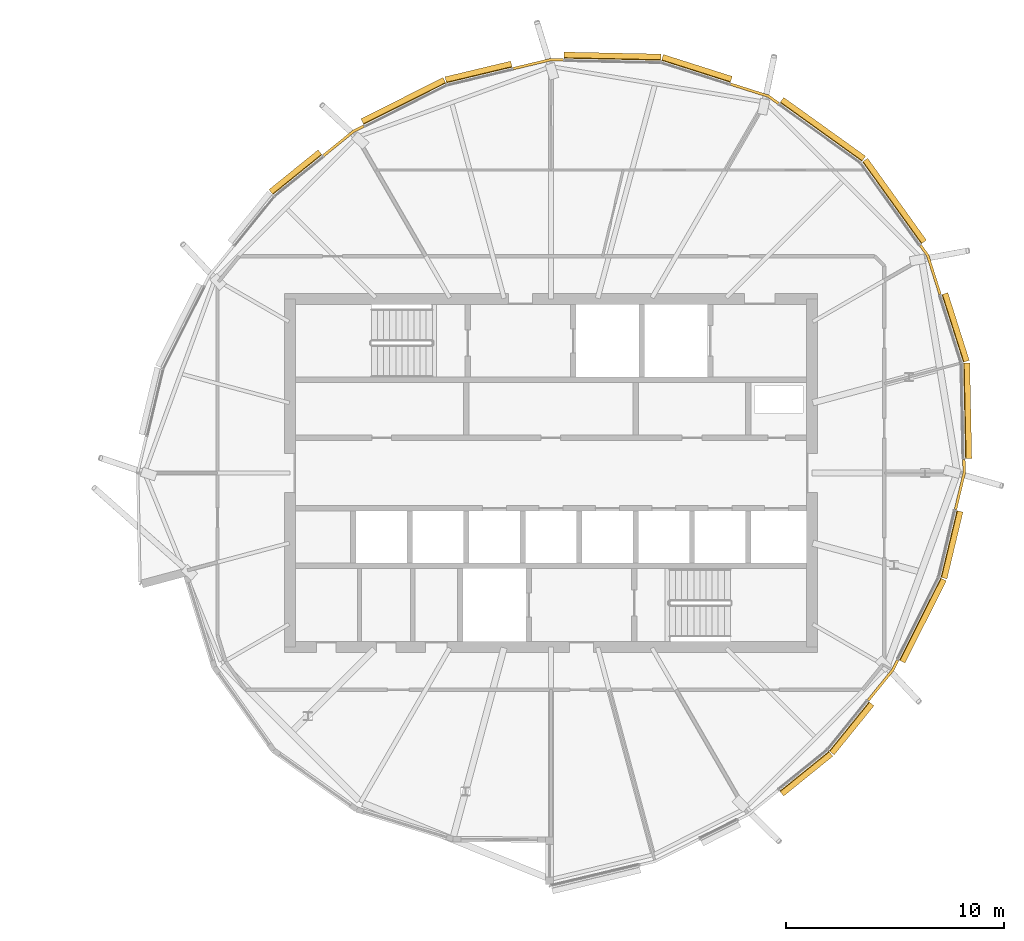
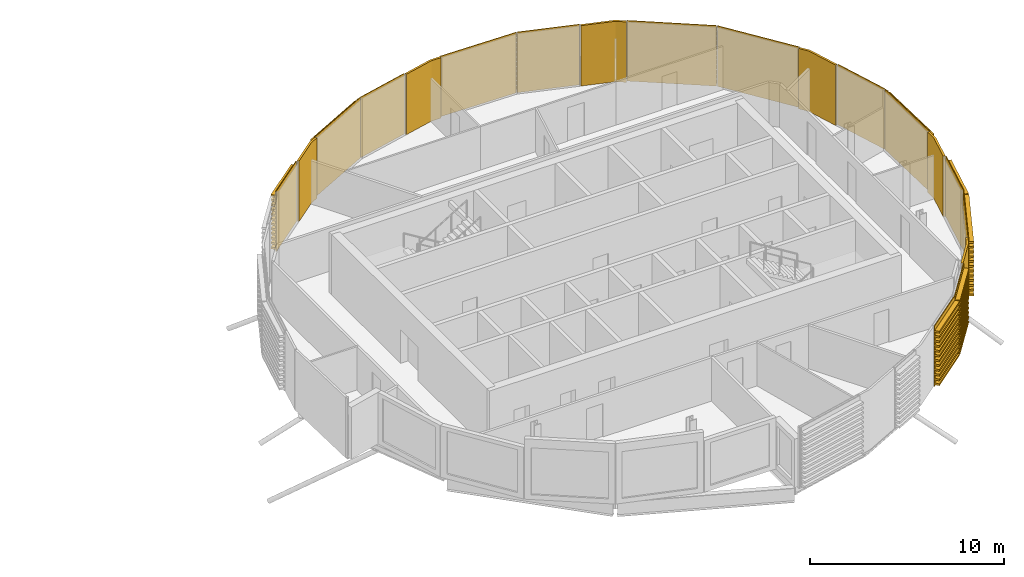
# One storey, part 36 of 36: 19 coverings.
"""IFC4 building model written with IfcOpenShell, lengths in metres."""

from ifc_helpers import new_model, si_unit, direction, frame, origin, place, context, subcontext, project, spatial, polyline, outline, extrude, material, layer, layer_set, material_profile, profile_set, type_object, element, save


model = new_model("IFC4")

# Units and contexts
model_context = context("Model", 3, precision=1e-05, world=origin(), true_north=direction((0.0, 1.0)))
body_context = subcontext(model_context, "Body", "Model", "MODEL_VIEW")
ifc_project = project(units=[si_unit("LENGTHUNIT", "METRE"), si_unit("AREAUNIT", "SQUARE_METRE"), si_unit("VOLUMEUNIT", "CUBIC_METRE"), si_unit("PLANEANGLEUNIT", "RADIAN"), si_unit("MASSUNIT", "GRAM", prefix="KILO")], contexts=[model_context])

# Site, building, storey
site_placement = place(None, origin())
site = spatial("IfcSite", under=ifc_project, at=site_placement, CompositionType="ELEMENT")
building_placement = place(site_placement, origin())
building = spatial("IfcBuilding", under=site, at=building_placement, Name="Rimbun Link Towers", CompositionType="ELEMENT")
storey_placement = place(building_placement, frame((0.0, 0.0, 248.5)))
storey = spatial("IfcBuildingStorey", under=building, at=storey_placement, Name="L61", CompositionType="ELEMENT", Elevation=248.5)

# Coverings
ifc_material_1 = material(Name="Terracotta", Category="masonry")
ifc_layer = layer(ifc_material_1, 0.1201171875)
ifc_layer_set = layer_set([ifc_layer], Name="LINK PIER terracotta cladding 120")
covering_type_1 = type_object("IfcCoveringType", Name="LINK PIER terracotta cladding 120", PredefinedType="CLADDING", material=ifc_layer_set)
covering_1_placement = place(storey_placement, origin())
element("IfcCovering", 1, at=covering_1_placement, inside=storey, type_object=covering_type_1, Name="LINK PIER cladding", PredefinedType="CLADDING", context=body_context, shape_type="SweptSolid", body=[
    extrude(outline(polyline([(39.98486328125, 17.81884765625), (41.71923828125, 17.267333984375), (42.182373046875, 16.93505859375), (42.25244140625, 17.032470703125), (41.773681640625, 17.3759765625), (40.021240234375, 17.933349609375), (39.98486328125, 17.81884765625)])), origin(), (0.0, 0.0, 1.0), 3.800048828125),
])
covering_2_placement = place(storey_placement, origin())
element("IfcCovering", 2, at=covering_2_placement, inside=storey, type_object=covering_type_1, Name="LINK PIER cladding", PredefinedType="CLADDING", context=body_context, shape_type="SweptSolid", body=[
    extrude(outline(polyline([(30.028564453125, 18.527587890625), (31.75, 18.939208984375), (32.31982421875, 18.92724609375), (32.322509765625, 19.047119140625), (31.737060546875, 19.0595703125), (30.000732421875, 18.644287109375), (30.028564453125, 18.527587890625)])), origin(), (0.0, 0.0, 1.0), 3.800048828125),
])
covering_3_placement = place(storey_placement, origin())
element("IfcCovering", 3, at=covering_3_placement, inside=storey, type_object=covering_type_1, Name="LINK PIER cladding", PredefinedType="CLADDING", context=body_context, shape_type="SweptSolid", body=[
    extrude(outline(polyline([(21.3359375, 14.541015625), (22.711669921875, 15.65478515625), (23.176513671875, 15.887939453125), (23.12255859375, 15.995361328125), (22.646240234375, 15.756103515625), (21.260498046875, 14.63427734375), (21.3359375, 14.541015625)])), origin(), (0.0, 0.0, 1.0), 3.800048828125),
])
covering_4_placement = place(storey_placement, origin())
element("IfcCovering", 4, at=covering_4_placement, inside=storey, type_object=covering_type_1, Name="LINK PIER cladding", PredefinedType="CLADDING", context=body_context, shape_type="SweptSolid", body=[
    extrude(outline(polyline([(47.637939453125, -8.573486328125), (47.40478515625, -9.038330078125), (46.291015625, -10.4140625), (46.38427734375, -10.489501953125), (47.506103515625, -9.103759765625), (47.745361328125, -8.62744140625), (47.637939453125, -8.573486328125)])), origin(), (0.0, 0.0, 1.0), 3.800048828125),
])
covering_5_placement = place(storey_placement, origin())
element("IfcCovering", 5, at=covering_5_placement, inside=storey, type_object=covering_type_1, Name="LINK PIER cladding", PredefinedType="CLADDING", context=body_context, shape_type="SweptSolid", body=[
    extrude(outline(polyline([(50.676025390625, 0.619873046875), (50.689208984375, 0.0), (50.2890625, -1.6728515625), (50.40576171875, -1.70068359375), (50.8095703125, -0.012939453125), (50.796142578125, 0.622314453125), (50.676025390625, 0.619873046875)])), origin(), (0.0, 0.0, 1.0), 3.800048828125),
])
covering_6_placement = place(storey_placement, origin())
element("IfcCovering", 6, at=covering_6_placement, inside=storey, type_object=covering_type_1, Name="LINK PIER cladding", PredefinedType="CLADDING", context=body_context, shape_type="SweptSolid", body=[
    extrude(outline(polyline([(48.68505859375, 10.432373046875), (49.017333984375, 9.96923828125), (49.583984375, 8.187255859375), (49.698486328125, 8.2236328125), (49.1259765625, 10.023681640625), (48.782470703125, 10.50244140625), (48.68505859375, 10.432373046875)])), origin(), (0.0, 0.0, 1.0), 3.800048828125),
])
ifc_material_2 = material(Name="Terracotta", Category="masonry")
ifc_material_profile = material_profile(ifc_material_2, outline(polyline([(0.123046875, 0.0), (0.1630859375, 0.0), (0.1630859375, 0.10009765625), (0.423095703125, 0.10009765625), (0.423095703125, 0.219970703125), (0.1630859375, 0.219970703125), (0.1630859375, 0.39990234375), (0.423095703125, 0.39990234375), (0.423095703125, 0.52001953125), (0.1630859375, 0.52001953125), (0.1630859375, 0.699951171875), (0.423095703125, 0.699951171875), (0.423095703125, 0.820068359375), (0.1630859375, 0.820068359375), (0.1630859375, 1.0), (0.423095703125, 1.0), (0.423095703125, 1.1201171875), (0.1630859375, 1.1201171875), (0.1630859375, 1.300048828125), (0.423095703125, 1.300048828125), (0.423095703125, 1.419921875), (0.1630859375, 1.419921875), (0.1630859375, 1.60009765625), (0.423095703125, 1.60009765625), (0.423095703125, 1.719970703125), (0.1630859375, 1.719970703125), (0.1630859375, 1.89990234375), (0.423095703125, 1.89990234375), (0.423095703125, 2.02001953125), (0.1630859375, 2.02001953125), (0.1630859375, 2.199951171875), (0.423095703125, 2.199951171875), (0.423095703125, 2.320068359375), (0.1630859375, 2.320068359375), (0.1630859375, 2.5), (0.423095703125, 2.5), (0.423095703125, 2.6201171875), (0.1630859375, 2.6201171875), (0.1630859375, 2.800048828125), (0.423095703125, 2.800048828125), (0.423095703125, 2.919921875), (0.1630859375, 2.919921875), (0.1630859375, 3.10009765625), (0.423095703125, 3.10009765625), (0.423095703125, 3.219970703125), (0.1630859375, 3.219970703125), (0.1630859375, 3.39990234375), (0.423095703125, 3.39990234375), (0.423095703125, 3.52001953125), (0.1630859375, 3.52001953125), (0.1630859375, 3.800048828125), (0.123046875, 3.800048828125), (0.123046875, 0.0)])), Name="BAGUETTE 120X300")
ifc_profile_set = profile_set([ifc_material_profile], Name="Terracotta")
covering_type_2 = type_object("IfcCoveringType", Name="TERRACOTTA BAGUETTE 120X300 H3800", PredefinedType="CLADDING", material=ifc_profile_set)
covering_7_placement = place(storey_placement, frame((42.206787109375, 16.91748046875, 0.0), z_axis=(0.812459513707, -0.583017614302, 0.0), x_axis=(0.583017614302, 0.812459513707, 0.0)))
element("IfcCovering", 7, at=covering_7_placement, inside=storey, type_object=covering_type_2, Name="TERRACOTTA BAGUETTE", PredefinedType="CLADDING", context=body_context, shape_type="SweptSolid", body=[
    extrude(outline(polyline([(0.123046875, 0.0), (0.1630859375, 0.0), (0.1630859375, 0.10009765625), (0.423095703125, 0.10009765625), (0.423095703125, 0.219970703125), (0.1630859375, 0.219970703125), (0.1630859375, 0.39990234375), (0.423095703125, 0.39990234375), (0.423095703125, 0.52001953125), (0.1630859375, 0.52001953125), (0.1630859375, 0.699951171875), (0.423095703125, 0.699951171875), (0.423095703125, 0.820068359375), (0.1630859375, 0.820068359375), (0.1630859375, 1.0), (0.423095703125, 1.0), (0.423095703125, 1.1201171875), (0.1630859375, 1.1201171875), (0.1630859375, 1.300048828125), (0.423095703125, 1.300048828125), (0.423095703125, 1.419921875), (0.1630859375, 1.419921875), (0.1630859375, 1.60009765625), (0.423095703125, 1.60009765625), (0.423095703125, 1.719970703125), (0.1630859375, 1.719970703125), (0.1630859375, 1.89990234375), (0.423095703125, 1.89990234375), (0.423095703125, 2.02001953125), (0.1630859375, 2.02001953125), (0.1630859375, 2.199951171875), (0.423095703125, 2.199951171875), (0.423095703125, 2.320068359375), (0.1630859375, 2.320068359375), (0.1630859375, 2.5), (0.423095703125, 2.5), (0.423095703125, 2.6201171875), (0.1630859375, 2.6201171875), (0.1630859375, 2.800048828125), (0.423095703125, 2.800048828125), (0.423095703125, 2.919921875), (0.1630859375, 2.919921875), (0.1630859375, 3.10009765625), (0.423095703125, 3.10009765625), (0.423095703125, 3.219970703125), (0.1630859375, 3.219970703125), (0.1630859375, 3.39990234375), (0.423095703125, 3.39990234375), (0.423095703125, 3.52001953125), (0.1630859375, 3.52001953125), (0.1630859375, 3.800048828125), (0.123046875, 3.800048828125), (0.123046875, 0.0)])), origin(), (0.0, 0.0, 1.0), 4.629638671875),
])
covering_8_placement = place(storey_placement, frame((36.79638671875, 18.8330078125, 0.0), z_axis=(0.952951884301, -0.303121603003, 0.0), x_axis=(0.303121603003, 0.952951884301, 0.0)))
element("IfcCovering", 8, at=covering_8_placement, inside=storey, type_object=covering_type_2, Name="TERRACOTTA BAGUETTE", PredefinedType="CLADDING", context=body_context, shape_type="SweptSolid", body=[
    extrude(outline(polyline([(0.123046875, 0.0), (0.1630859375, 0.0), (0.1630859375, 0.10009765625), (0.423095703125, 0.10009765625), (0.423095703125, 0.219970703125), (0.1630859375, 0.219970703125), (0.1630859375, 0.39990234375), (0.423095703125, 0.39990234375), (0.423095703125, 0.52001953125), (0.1630859375, 0.52001953125), (0.1630859375, 0.699951171875), (0.423095703125, 0.699951171875), (0.423095703125, 0.820068359375), (0.1630859375, 0.820068359375), (0.1630859375, 1.0), (0.423095703125, 1.0), (0.423095703125, 1.1201171875), (0.1630859375, 1.1201171875), (0.1630859375, 1.300048828125), (0.423095703125, 1.300048828125), (0.423095703125, 1.419921875), (0.1630859375, 1.419921875), (0.1630859375, 1.60009765625), (0.423095703125, 1.60009765625), (0.423095703125, 1.719970703125), (0.1630859375, 1.719970703125), (0.1630859375, 1.89990234375), (0.423095703125, 1.89990234375), (0.423095703125, 2.02001953125), (0.1630859375, 2.02001953125), (0.1630859375, 2.199951171875), (0.423095703125, 2.199951171875), (0.423095703125, 2.320068359375), (0.1630859375, 2.320068359375), (0.1630859375, 2.5), (0.423095703125, 2.5), (0.423095703125, 2.6201171875), (0.1630859375, 2.6201171875), (0.1630859375, 2.800048828125), (0.423095703125, 2.800048828125), (0.423095703125, 2.919921875), (0.1630859375, 2.919921875), (0.1630859375, 3.10009765625), (0.423095703125, 3.10009765625), (0.423095703125, 3.219970703125), (0.1630859375, 3.219970703125), (0.1630859375, 3.39990234375), (0.423095703125, 3.39990234375), (0.423095703125, 3.52001953125), (0.1630859375, 3.52001953125), (0.1630859375, 3.800048828125), (0.123046875, 3.800048828125), (0.123046875, 0.0)])), origin(), (0.0, 0.0, 1.0), 3.31591796875),
])
covering_9_placement = place(storey_placement, frame((32.349853515625, 18.926513671875, 0.0), z_axis=(0.999778965245, -0.02102428725, 0.0), x_axis=(0.02102428725, 0.999778965245, 0.0)))
element("IfcCovering", 9, at=covering_9_placement, inside=storey, type_object=covering_type_2, Name="TERRACOTTA BAGUETTE", PredefinedType="CLADDING", context=body_context, shape_type="SweptSolid", body=[
    extrude(outline(polyline([(0.123046875, 0.0), (0.1630859375, 0.0), (0.1630859375, 0.10009765625), (0.423095703125, 0.10009765625), (0.423095703125, 0.219970703125), (0.1630859375, 0.219970703125), (0.1630859375, 0.39990234375), (0.423095703125, 0.39990234375), (0.423095703125, 0.52001953125), (0.1630859375, 0.52001953125), (0.1630859375, 0.699951171875), (0.423095703125, 0.699951171875), (0.423095703125, 0.820068359375), (0.1630859375, 0.820068359375), (0.1630859375, 1.0), (0.423095703125, 1.0), (0.423095703125, 1.1201171875), (0.1630859375, 1.1201171875), (0.1630859375, 1.300048828125), (0.423095703125, 1.300048828125), (0.423095703125, 1.419921875), (0.1630859375, 1.419921875), (0.1630859375, 1.60009765625), (0.423095703125, 1.60009765625), (0.423095703125, 1.719970703125), (0.1630859375, 1.719970703125), (0.1630859375, 1.89990234375), (0.423095703125, 1.89990234375), (0.423095703125, 2.02001953125), (0.1630859375, 2.02001953125), (0.1630859375, 2.199951171875), (0.423095703125, 2.199951171875), (0.423095703125, 2.320068359375), (0.1630859375, 2.320068359375), (0.1630859375, 2.5), (0.423095703125, 2.5), (0.423095703125, 2.6201171875), (0.1630859375, 2.6201171875), (0.1630859375, 2.800048828125), (0.423095703125, 2.800048828125), (0.423095703125, 2.919921875), (0.1630859375, 2.919921875), (0.1630859375, 3.10009765625), (0.423095703125, 3.10009765625), (0.423095703125, 3.219970703125), (0.1630859375, 3.219970703125), (0.1630859375, 3.39990234375), (0.423095703125, 3.39990234375), (0.423095703125, 3.52001953125), (0.1630859375, 3.52001953125), (0.1630859375, 3.800048828125), (0.123046875, 3.800048828125), (0.123046875, 0.0)])), origin(), (0.0, 0.0, 1.0), 4.447509765625),
])
covering_10_placement = place(storey_placement, frame((26.98095703125, 17.798583984375, 0.0), z_axis=(0.972567672388, 0.232620125152, 0.0), x_axis=(-0.232620125152, 0.972567672388, 0.0)))
element("IfcCovering", 10, at=covering_10_placement, inside=storey, type_object=covering_type_2, Name="TERRACOTTA BAGUETTE", PredefinedType="CLADDING", context=body_context, shape_type="SweptSolid", body=[
    extrude(outline(polyline([(0.123046875, 0.0), (0.1630859375, 0.0), (0.1630859375, 0.10009765625), (0.423095703125, 0.10009765625), (0.423095703125, 0.219970703125), (0.1630859375, 0.219970703125), (0.1630859375, 0.39990234375), (0.423095703125, 0.39990234375), (0.423095703125, 0.52001953125), (0.1630859375, 0.52001953125), (0.1630859375, 0.699951171875), (0.423095703125, 0.699951171875), (0.423095703125, 0.820068359375), (0.1630859375, 0.820068359375), (0.1630859375, 1.0), (0.423095703125, 1.0), (0.423095703125, 1.1201171875), (0.1630859375, 1.1201171875), (0.1630859375, 1.300048828125), (0.423095703125, 1.300048828125), (0.423095703125, 1.419921875), (0.1630859375, 1.419921875), (0.1630859375, 1.60009765625), (0.423095703125, 1.60009765625), (0.423095703125, 1.719970703125), (0.1630859375, 1.719970703125), (0.1630859375, 1.89990234375), (0.423095703125, 1.89990234375), (0.423095703125, 2.02001953125), (0.1630859375, 2.02001953125), (0.1630859375, 2.199951171875), (0.423095703125, 2.199951171875), (0.423095703125, 2.320068359375), (0.1630859375, 2.320068359375), (0.1630859375, 2.5), (0.423095703125, 2.5), (0.423095703125, 2.6201171875), (0.1630859375, 2.6201171875), (0.1630859375, 2.800048828125), (0.423095703125, 2.800048828125), (0.423095703125, 2.919921875), (0.1630859375, 2.919921875), (0.1630859375, 3.10009765625), (0.423095703125, 3.10009765625), (0.423095703125, 3.219970703125), (0.1630859375, 3.219970703125), (0.1630859375, 3.39990234375), (0.423095703125, 3.39990234375), (0.423095703125, 3.52001953125), (0.1630859375, 3.52001953125), (0.1630859375, 3.800048828125), (0.123046875, 3.800048828125), (0.123046875, 0.0)])), origin(), (0.0, 0.0, 1.0), 3.103515625),
])
covering_11_placement = place(storey_placement, frame((23.203125, 15.901611328125, 0.0), z_axis=(0.89366355733, 0.448737614092, 0.0), x_axis=(-0.448737614092, 0.89366355733, 0.0)))
element("IfcCovering", 11, at=covering_11_placement, inside=storey, type_object=covering_type_2, Name="TERRACOTTA BAGUETTE", PredefinedType="CLADDING", context=body_context, shape_type="SweptSolid", body=[
    extrude(outline(polyline([(0.123046875, 0.0), (0.1630859375, 0.0), (0.1630859375, 0.10009765625), (0.423095703125, 0.10009765625), (0.423095703125, 0.219970703125), (0.1630859375, 0.219970703125), (0.1630859375, 0.39990234375), (0.423095703125, 0.39990234375), (0.423095703125, 0.52001953125), (0.1630859375, 0.52001953125), (0.1630859375, 0.699951171875), (0.423095703125, 0.699951171875), (0.423095703125, 0.820068359375), (0.1630859375, 0.820068359375), (0.1630859375, 1.0), (0.423095703125, 1.0), (0.423095703125, 1.1201171875), (0.1630859375, 1.1201171875), (0.1630859375, 1.300048828125), (0.423095703125, 1.300048828125), (0.423095703125, 1.419921875), (0.1630859375, 1.419921875), (0.1630859375, 1.60009765625), (0.423095703125, 1.60009765625), (0.423095703125, 1.719970703125), (0.1630859375, 1.719970703125), (0.1630859375, 1.89990234375), (0.423095703125, 1.89990234375), (0.423095703125, 2.02001953125), (0.1630859375, 2.02001953125), (0.1630859375, 2.199951171875), (0.423095703125, 2.199951171875), (0.423095703125, 2.320068359375), (0.1630859375, 2.320068359375), (0.1630859375, 2.5), (0.423095703125, 2.5), (0.423095703125, 2.6201171875), (0.1630859375, 2.6201171875), (0.1630859375, 2.800048828125), (0.423095703125, 2.800048828125), (0.423095703125, 2.919921875), (0.1630859375, 2.919921875), (0.1630859375, 3.10009765625), (0.423095703125, 3.10009765625), (0.423095703125, 3.219970703125), (0.1630859375, 3.219970703125), (0.1630859375, 3.39990234375), (0.423095703125, 3.39990234375), (0.423095703125, 3.52001953125), (0.1630859375, 3.52001953125), (0.1630859375, 3.800048828125), (0.123046875, 3.800048828125), (0.123046875, 0.0)])), origin(), (0.0, 0.0, 1.0), 4.227294921875),
])
for number, where, z_axis, x_axis, name in (
    (12, (19.05517578125, 12.69482421875, 0.0), (0.777238997836, 0.629205483323, 0.0), (-0.629205483323, 0.777238997836, 0.0), "TERRACOTTA BAGUETTE"),
    (13, (44.44482421875, -12.69482421875, 0.0), (-0.777238997836, -0.629205483323, 0.0), (0.629205483323, -0.777238997836, 0.0), "TERRACOTTA BAGUETTE"),
    (14, (46.272216796875, -10.4375, 0.0), (-0.629205483323, -0.777238997836, 0.0), (0.777238997836, -0.629205483323, 0.0), "TERRACOTTA BAGUETTE"),
):
    element("IfcCovering", number, at=place(storey_placement, frame(where, z_axis=z_axis, x_axis=x_axis)), inside=storey, type_object=covering_type_2, Name=name, PredefinedType="CLADDING", context=body_context, shape_type="SweptSolid", body=[
        extrude(outline(polyline([(0.123046875, 0.0), (0.1630859375, 0.0), (0.1630859375, 0.10009765625), (0.423095703125, 0.10009765625), (0.423095703125, 0.219970703125), (0.1630859375, 0.219970703125), (0.1630859375, 0.39990234375), (0.423095703125, 0.39990234375), (0.423095703125, 0.52001953125), (0.1630859375, 0.52001953125), (0.1630859375, 0.699951171875), (0.423095703125, 0.699951171875), (0.423095703125, 0.820068359375), (0.1630859375, 0.820068359375), (0.1630859375, 1.0), (0.423095703125, 1.0), (0.423095703125, 1.1201171875), (0.1630859375, 1.1201171875), (0.1630859375, 1.300048828125), (0.423095703125, 1.300048828125), (0.423095703125, 1.419921875), (0.1630859375, 1.419921875), (0.1630859375, 1.60009765625), (0.423095703125, 1.60009765625), (0.423095703125, 1.719970703125), (0.1630859375, 1.719970703125), (0.1630859375, 1.89990234375), (0.423095703125, 1.89990234375), (0.423095703125, 2.02001953125), (0.1630859375, 2.02001953125), (0.1630859375, 2.199951171875), (0.423095703125, 2.199951171875), (0.423095703125, 2.320068359375), (0.1630859375, 2.320068359375), (0.1630859375, 2.5), (0.423095703125, 2.5), (0.423095703125, 2.6201171875), (0.1630859375, 2.6201171875), (0.1630859375, 2.800048828125), (0.423095703125, 2.800048828125), (0.423095703125, 2.919921875), (0.1630859375, 2.919921875), (0.1630859375, 3.10009765625), (0.423095703125, 3.10009765625), (0.423095703125, 3.219970703125), (0.1630859375, 3.219970703125), (0.1630859375, 3.39990234375), (0.423095703125, 3.39990234375), (0.423095703125, 3.52001953125), (0.1630859375, 3.52001953125), (0.1630859375, 3.800048828125), (0.123046875, 3.800048828125), (0.123046875, 0.0)])), origin(), (0.0, 0.0, 1.0), 2.904296875),
    ])
covering_12_placement = place(storey_placement, frame((49.548583984375, -4.76904296875, 0.0), z_axis=(-0.448737614092, -0.89366355733, 0.0), x_axis=(0.89366355733, -0.448737614092, 0.0)))
element("IfcCovering", 15, at=covering_12_placement, inside=storey, type_object=covering_type_2, Name="TERRACOTTA BAGUETTE", PredefinedType="CLADDING", context=body_context, shape_type="SweptSolid", body=[
    extrude(outline(polyline([(0.123046875, 0.0), (0.1630859375, 0.0), (0.1630859375, 0.10009765625), (0.423095703125, 0.10009765625), (0.423095703125, 0.219970703125), (0.1630859375, 0.219970703125), (0.1630859375, 0.39990234375), (0.423095703125, 0.39990234375), (0.423095703125, 0.52001953125), (0.1630859375, 0.52001953125), (0.1630859375, 0.699951171875), (0.423095703125, 0.699951171875), (0.423095703125, 0.820068359375), (0.1630859375, 0.820068359375), (0.1630859375, 1.0), (0.423095703125, 1.0), (0.423095703125, 1.1201171875), (0.1630859375, 1.1201171875), (0.1630859375, 1.300048828125), (0.423095703125, 1.300048828125), (0.423095703125, 1.419921875), (0.1630859375, 1.419921875), (0.1630859375, 1.60009765625), (0.423095703125, 1.60009765625), (0.423095703125, 1.719970703125), (0.1630859375, 1.719970703125), (0.1630859375, 1.89990234375), (0.423095703125, 1.89990234375), (0.423095703125, 2.02001953125), (0.1630859375, 2.02001953125), (0.1630859375, 2.199951171875), (0.423095703125, 2.199951171875), (0.423095703125, 2.320068359375), (0.1630859375, 2.320068359375), (0.1630859375, 2.5), (0.423095703125, 2.5), (0.423095703125, 2.6201171875), (0.1630859375, 2.6201171875), (0.1630859375, 2.800048828125), (0.423095703125, 2.800048828125), (0.423095703125, 2.919921875), (0.1630859375, 2.919921875), (0.1630859375, 3.10009765625), (0.423095703125, 3.10009765625), (0.423095703125, 3.219970703125), (0.1630859375, 3.219970703125), (0.1630859375, 3.39990234375), (0.423095703125, 3.39990234375), (0.423095703125, 3.52001953125), (0.1630859375, 3.52001953125), (0.1630859375, 3.800048828125), (0.123046875, 3.800048828125), (0.123046875, 0.0)])), origin(), (0.0, 0.0, 1.0), 4.227294921875),
])
covering_13_placement = place(storey_placement, frame((50.2822265625, -1.701904296875, 0.0), z_axis=(-0.232632113265, -0.972564804976, 0.0), x_axis=(0.972564804976, -0.232632113265, 0.0)))
element("IfcCovering", 16, at=covering_13_placement, inside=storey, type_object=covering_type_2, Name="TERRACOTTA BAGUETTE", PredefinedType="CLADDING", context=body_context, shape_type="SweptSolid", body=[
    extrude(outline(polyline([(0.123046875, 0.0), (0.1630859375, 0.0), (0.1630859375, 0.10009765625), (0.423095703125, 0.10009765625), (0.423095703125, 0.219970703125), (0.1630859375, 0.219970703125), (0.1630859375, 0.39990234375), (0.423095703125, 0.39990234375), (0.423095703125, 0.52001953125), (0.1630859375, 0.52001953125), (0.1630859375, 0.699951171875), (0.423095703125, 0.699951171875), (0.423095703125, 0.820068359375), (0.1630859375, 0.820068359375), (0.1630859375, 1.0), (0.423095703125, 1.0), (0.423095703125, 1.1201171875), (0.1630859375, 1.1201171875), (0.1630859375, 1.300048828125), (0.423095703125, 1.300048828125), (0.423095703125, 1.419921875), (0.1630859375, 1.419921875), (0.1630859375, 1.60009765625), (0.423095703125, 1.60009765625), (0.423095703125, 1.719970703125), (0.1630859375, 1.719970703125), (0.1630859375, 1.89990234375), (0.423095703125, 1.89990234375), (0.423095703125, 2.02001953125), (0.1630859375, 2.02001953125), (0.1630859375, 2.199951171875), (0.423095703125, 2.199951171875), (0.423095703125, 2.320068359375), (0.1630859375, 2.320068359375), (0.1630859375, 2.5), (0.423095703125, 2.5), (0.423095703125, 2.6201171875), (0.1630859375, 2.6201171875), (0.1630859375, 2.800048828125), (0.423095703125, 2.800048828125), (0.423095703125, 2.919921875), (0.1630859375, 2.919921875), (0.1630859375, 3.10009765625), (0.423095703125, 3.10009765625), (0.423095703125, 3.219970703125), (0.1630859375, 3.219970703125), (0.1630859375, 3.39990234375), (0.423095703125, 3.39990234375), (0.423095703125, 3.52001953125), (0.1630859375, 3.52001953125), (0.1630859375, 3.800048828125), (0.123046875, 3.800048828125), (0.123046875, 0.0)])), origin(), (0.0, 0.0, 1.0), 3.153564453125),
])
covering_14_placement = place(storey_placement, frame((50.5830078125, 5.04638671875, 0.0), z_axis=(0.021041542106, -0.999778602244, 0.0), x_axis=(0.999778602244, 0.021041542106, 0.0)))
element("IfcCovering", 17, at=covering_14_placement, inside=storey, type_object=covering_type_2, Name="TERRACOTTA BAGUETTE", PredefinedType="CLADDING", context=body_context, shape_type="SweptSolid", body=[
    extrude(outline(polyline([(0.123046875, 0.0), (0.1630859375, 0.0), (0.1630859375, 0.10009765625), (0.423095703125, 0.10009765625), (0.423095703125, 0.219970703125), (0.1630859375, 0.219970703125), (0.1630859375, 0.39990234375), (0.423095703125, 0.39990234375), (0.423095703125, 0.52001953125), (0.1630859375, 0.52001953125), (0.1630859375, 0.699951171875), (0.423095703125, 0.699951171875), (0.423095703125, 0.820068359375), (0.1630859375, 0.820068359375), (0.1630859375, 1.0), (0.423095703125, 1.0), (0.423095703125, 1.1201171875), (0.1630859375, 1.1201171875), (0.1630859375, 1.300048828125), (0.423095703125, 1.300048828125), (0.423095703125, 1.419921875), (0.1630859375, 1.419921875), (0.1630859375, 1.60009765625), (0.423095703125, 1.60009765625), (0.423095703125, 1.719970703125), (0.1630859375, 1.719970703125), (0.1630859375, 1.89990234375), (0.423095703125, 1.89990234375), (0.423095703125, 2.02001953125), (0.1630859375, 2.02001953125), (0.1630859375, 2.199951171875), (0.423095703125, 2.199951171875), (0.423095703125, 2.320068359375), (0.1630859375, 2.320068359375), (0.1630859375, 2.5), (0.423095703125, 2.5), (0.423095703125, 2.6201171875), (0.1630859375, 2.6201171875), (0.1630859375, 2.800048828125), (0.423095703125, 2.800048828125), (0.423095703125, 2.919921875), (0.1630859375, 2.919921875), (0.1630859375, 3.10009765625), (0.423095703125, 3.10009765625), (0.423095703125, 3.219970703125), (0.1630859375, 3.219970703125), (0.1630859375, 3.39990234375), (0.423095703125, 3.39990234375), (0.423095703125, 3.52001953125), (0.1630859375, 3.52001953125), (0.1630859375, 3.800048828125), (0.123046875, 3.800048828125), (0.123046875, 0.0)])), origin(), (0.0, 0.0, 1.0), 4.3974609375),
])
covering_15_placement = place(storey_placement, frame((49.593017578125, 8.15869140625, 0.0), z_axis=(0.303123433466, -0.952951302053, 0.0), x_axis=(0.952951302053, 0.303123433466, 0.0)))
element("IfcCovering", 18, at=covering_15_placement, inside=storey, type_object=covering_type_2, Name="TERRACOTTA BAGUETTE", PredefinedType="CLADDING", context=body_context, shape_type="SweptSolid", body=[
    extrude(outline(polyline([(0.123046875, 0.0), (0.1630859375, 0.0), (0.1630859375, 0.10009765625), (0.423095703125, 0.10009765625), (0.423095703125, 0.219970703125), (0.1630859375, 0.219970703125), (0.1630859375, 0.39990234375), (0.423095703125, 0.39990234375), (0.423095703125, 0.52001953125), (0.1630859375, 0.52001953125), (0.1630859375, 0.699951171875), (0.423095703125, 0.699951171875), (0.423095703125, 0.820068359375), (0.1630859375, 0.820068359375), (0.1630859375, 1.0), (0.423095703125, 1.0), (0.423095703125, 1.1201171875), (0.1630859375, 1.1201171875), (0.1630859375, 1.300048828125), (0.423095703125, 1.300048828125), (0.423095703125, 1.419921875), (0.1630859375, 1.419921875), (0.1630859375, 1.60009765625), (0.423095703125, 1.60009765625), (0.423095703125, 1.719970703125), (0.1630859375, 1.719970703125), (0.1630859375, 1.89990234375), (0.423095703125, 1.89990234375), (0.423095703125, 2.02001953125), (0.1630859375, 2.02001953125), (0.1630859375, 2.199951171875), (0.423095703125, 2.199951171875), (0.423095703125, 2.320068359375), (0.1630859375, 2.320068359375), (0.1630859375, 2.5), (0.423095703125, 2.5), (0.423095703125, 2.6201171875), (0.1630859375, 2.6201171875), (0.1630859375, 2.800048828125), (0.423095703125, 2.800048828125), (0.423095703125, 2.919921875), (0.1630859375, 2.919921875), (0.1630859375, 3.10009765625), (0.423095703125, 3.10009765625), (0.423095703125, 3.219970703125), (0.1630859375, 3.219970703125), (0.1630859375, 3.39990234375), (0.423095703125, 3.39990234375), (0.423095703125, 3.52001953125), (0.1630859375, 3.52001953125), (0.1630859375, 3.800048828125), (0.123046875, 3.800048828125), (0.123046875, 0.0)])), origin(), (0.0, 0.0, 1.0), 3.265869140625),
])
covering_16_placement = place(storey_placement, frame((45.96826171875, 14.21826171875, 0.0), z_axis=(0.583017614302, -0.812459513707, 0.0), x_axis=(0.812459513707, 0.583017614302, 0.0)))
element("IfcCovering", 19, at=covering_16_placement, inside=storey, type_object=covering_type_2, Name="TERRACOTTA BAGUETTE", PredefinedType="CLADDING", context=body_context, shape_type="SweptSolid", body=[
    extrude(outline(polyline([(0.123046875, 0.0), (0.1630859375, 0.0), (0.1630859375, 0.10009765625), (0.423095703125, 0.10009765625), (0.423095703125, 0.219970703125), (0.1630859375, 0.219970703125), (0.1630859375, 0.39990234375), (0.423095703125, 0.39990234375), (0.423095703125, 0.52001953125), (0.1630859375, 0.52001953125), (0.1630859375, 0.699951171875), (0.423095703125, 0.699951171875), (0.423095703125, 0.820068359375), (0.1630859375, 0.820068359375), (0.1630859375, 1.0), (0.423095703125, 1.0), (0.423095703125, 1.1201171875), (0.1630859375, 1.1201171875), (0.1630859375, 1.300048828125), (0.423095703125, 1.300048828125), (0.423095703125, 1.419921875), (0.1630859375, 1.419921875), (0.1630859375, 1.60009765625), (0.423095703125, 1.60009765625), (0.423095703125, 1.719970703125), (0.1630859375, 1.719970703125), (0.1630859375, 1.89990234375), (0.423095703125, 1.89990234375), (0.423095703125, 2.02001953125), (0.1630859375, 2.02001953125), (0.1630859375, 2.199951171875), (0.423095703125, 2.199951171875), (0.423095703125, 2.320068359375), (0.1630859375, 2.320068359375), (0.1630859375, 2.5), (0.423095703125, 2.5), (0.423095703125, 2.6201171875), (0.1630859375, 2.6201171875), (0.1630859375, 2.800048828125), (0.423095703125, 2.800048828125), (0.423095703125, 2.919921875), (0.1630859375, 2.919921875), (0.1630859375, 3.10009765625), (0.423095703125, 3.10009765625), (0.423095703125, 3.219970703125), (0.1630859375, 3.219970703125), (0.1630859375, 3.39990234375), (0.423095703125, 3.39990234375), (0.423095703125, 3.52001953125), (0.1630859375, 3.52001953125), (0.1630859375, 3.800048828125), (0.123046875, 3.800048828125), (0.123046875, 0.0)])), origin(), (0.0, 0.0, 1.0), 4.629638671875),
])

save(model, "model.ifc")
